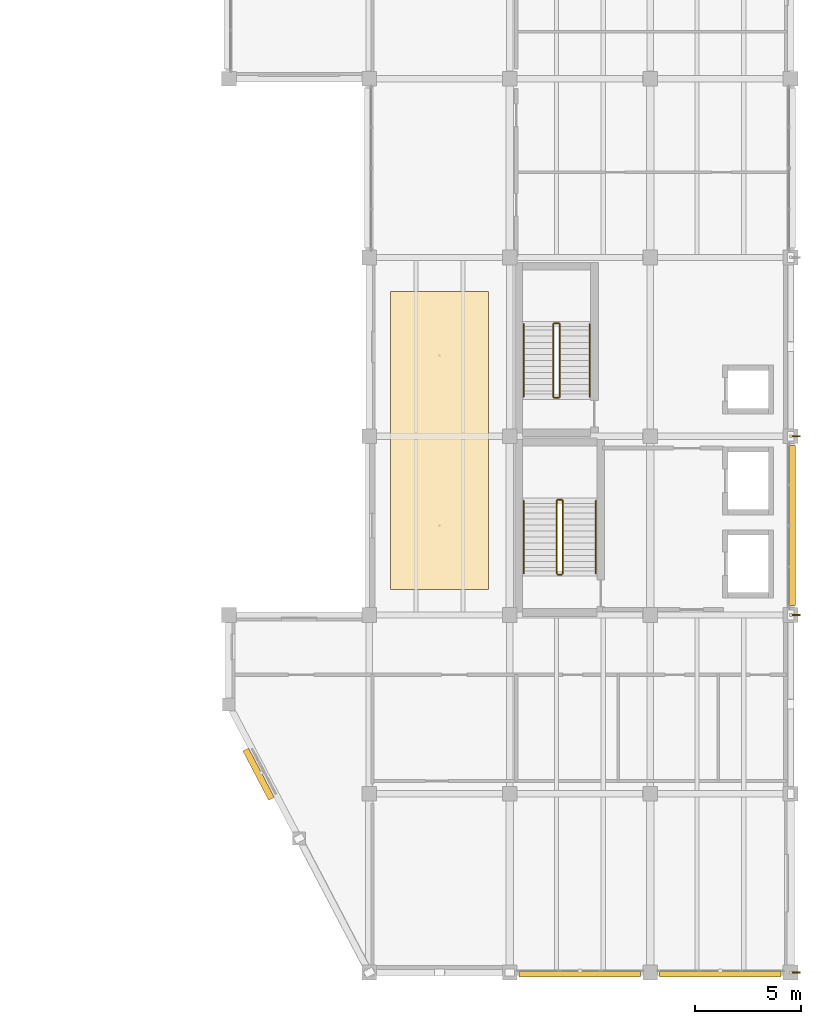
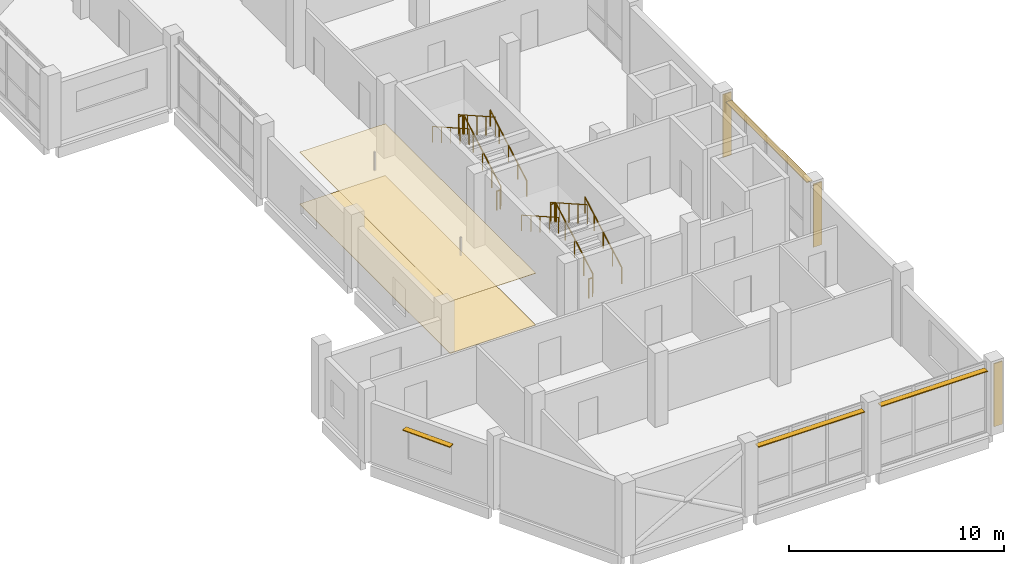
# One storey, part 17 of 19: 12 railings, 7 shading devices, 2 coverings.
"""IFC4 building model written with IfcOpenShell, lengths in metres."""

from ifc_helpers import new_model, si_unit, direction, frame, origin, origin_2d, place, context, subcontext, project, spatial, polyline, rectangle, circle, outline, extrude, material, layer, layer_set, type_object, element, save


model = new_model("IFC4")

# Units and contexts
model_context = context("Model", 3, precision=1e-05, world=origin(), true_north=direction((0.0, 1.0)))
body_context = subcontext(model_context, "Body", "Model", "MODEL_VIEW")
ifc_project = project(units=[si_unit("LENGTHUNIT", "METRE"), si_unit("AREAUNIT", "SQUARE_METRE"), si_unit("VOLUMEUNIT", "CUBIC_METRE"), si_unit("PLANEANGLEUNIT", "RADIAN"), si_unit("MASSUNIT", "GRAM", prefix="KILO")], contexts=[model_context])

# Site, building, storey
site_placement = place(None, origin())
site = spatial("IfcSite", under=ifc_project, at=site_placement, CompositionType="ELEMENT")
building_placement = place(site_placement, origin())
building = spatial("IfcBuilding", under=site, at=building_placement, Name="Qaldarim Faculty of Natural and Applied Sciences", CompositionType="ELEMENT")
storey_placement = place(building_placement, frame((0.0, 0.0, 27.0)))
storey = spatial("IfcBuildingStorey", under=building, at=storey_placement, Name="L06", CompositionType="ELEMENT", Elevation=27.0)

# Covering
ifc_material_1 = material(Name="Acoustic mineral fibre")
ifc_layer_1 = layer(ifc_material_1, 0.02001953125)
ifc_layer_set_1 = layer_set([ifc_layer_1], Name="Acoustic mineral fibre")
covering_type_1 = type_object("IfcCoveringType", Name="AcousticMineralCeiling-20", PredefinedType="CEILING", material=ifc_layer_set_1)
covering_1_placement = place(storey_placement, frame((0.0, 0.0, 2.949951171875)))
element("IfcCovering", 1, at=covering_1_placement, inside=storey, type_object=covering_type_1, Name="Acoustic corridor ceiling L06", PredefinedType="CEILING", context=body_context, shape_type="SweptSolid", body=[
    extrude(outline(polyline([(159.39990234375, 18.0), (164.0, 18.0), (164.0, 32.0), (159.39990234375, 32.0), (159.39990234375, 18.0)])), origin(), (0.0, 0.0, 1.0), 0.02001953125),
])

# Railings
ifc_material_2 = material(Name="Architectural stainless steel 316", Category="steel")
railing_type_1 = type_object("IfcRailingType", Name="GuardBalustrade-1100", PredefinedType="BALUSTRADE", material=ifc_material_2)
railing_1_placement = place(storey_placement, frame((167.5, 18.75, 0.159912109375)))
element("IfcRailing", 2, at=railing_1_placement, inside=storey, type_object=railing_type_1, Name="ST-A1 L06 stair well guard 1", PredefinedType="BALUSTRADE", context=body_context, shape_type="SweptSolid", body=[
    extrude(circle(Radius=0.02392578125, at=origin_2d()), frame((0.0, 0.0, 1.076171875), z_axis=(0.0, 0.869778831362, 0.493441774189), x_axis=(-1.0, 0.0, 0.0)), (0.0, 0.0, 1.0), 3.931884765625),
    extrude(circle(Radius=0.02099609375, at=origin_2d()), origin(), (0.0, 0.0, 1.0), 1.052001953125),
    extrude(circle(Radius=0.02099609375, at=origin_2d()), frame((0.0, 0.85498046875, 0.485107421875)), (0.0, 0.0, 1.0), 1.052001953125),
    extrude(circle(Radius=0.02099609375, at=origin_2d()), frame((0.0, 1.7099609375, 0.97021484375)), (0.0, 0.0, 1.0), 1.052001953125),
    extrude(circle(Radius=0.02099609375, at=origin_2d()), frame((0.0, 2.56494140625, 1.455078125)), (0.0, 0.0, 1.0), 1.052001953125),
    extrude(circle(Radius=0.02099609375, at=origin_2d()), frame((0.0, 3.419921875, 1.940185546875)), (0.0, 0.0, 1.0), 1.052001953125),
])
railing_2_placement = place(storey_placement, frame((167.449951171875, 22.219970703125, 2.10009765625)))
element("IfcRailing", 3, at=railing_2_placement, inside=storey, type_object=railing_type_1, Name="ST-A1 L06 stair well guard 2", PredefinedType="BALUSTRADE", context=body_context, shape_type="SweptSolid", body=[
    extrude(circle(Radius=0.02392578125, at=origin_2d()), frame((0.0, 0.0, 1.076171875), z_axis=(-1.0, 0.0, 0.0), x_axis=(0.0, -1.0, 0.0)), (0.0, 0.0, 1.0), 0.199951171875),
    extrude(circle(Radius=0.02099609375, at=origin_2d()), origin(), (0.0, 0.0, 1.0), 1.052001953125),
    extrude(circle(Radius=0.02099609375, at=origin_2d()), frame((-0.199951171875, 0.0, 0.0)), (0.0, 0.0, 1.0), 1.052001953125),
])
railing_3_placement = place(storey_placement, frame((167.199951171875, 22.169921875, 2.260009765625)))
element("IfcRailing", 4, at=railing_3_placement, inside=storey, type_object=railing_type_1, Name="ST-A1 L06 stair well guard 3", PredefinedType="BALUSTRADE", context=body_context, shape_type="SweptSolid", body=[
    extrude(circle(Radius=0.02392578125, at=origin_2d()), frame((0.0, 0.0, 1.076171875), z_axis=(0.0, -0.869805479697, 0.493394798806), x_axis=(1.0, 0.0, 0.0)), (0.0, 0.0, 1.0), 3.931884765625),
    extrude(circle(Radius=0.02099609375, at=origin_2d()), origin(), (0.0, 0.0, 1.0), 1.052001953125),
    extrude(circle(Radius=0.02099609375, at=origin_2d()), frame((0.0, -0.85498046875, 0.48486328125)), (0.0, 0.0, 1.0), 1.052001953125),
    extrude(circle(Radius=0.02099609375, at=origin_2d()), frame((0.0, -1.7099609375, 0.969970703125)), (0.0, 0.0, 1.0), 1.052001953125),
    extrude(circle(Radius=0.02099609375, at=origin_2d()), frame((0.0, -2.56494140625, 1.455078125)), (0.0, 0.0, 1.0), 1.052001953125),
    extrude(circle(Radius=0.02099609375, at=origin_2d()), frame((0.0, -3.419921875, 1.93994140625)), (0.0, 0.0, 1.0), 1.052001953125),
])
railing_4_placement = place(storey_placement, frame((167.449951171875, 18.699951171875, 0.0)))
element("IfcRailing", 5, at=railing_4_placement, inside=storey, type_object=railing_type_1, Name="ST-A1 L06 stair well guard 4", PredefinedType="BALUSTRADE", context=body_context, shape_type="SweptSolid", body=[
    extrude(circle(Radius=0.02392578125, at=origin_2d()), frame((0.0, 0.0, 1.076171875), z_axis=(-1.0, 0.0, 0.0), x_axis=(0.0, -1.0, 0.0)), (0.0, 0.0, 1.0), 0.199951171875),
    extrude(circle(Radius=0.02099609375, at=origin_2d()), origin(), (0.0, 0.0, 1.0), 1.052001953125),
    extrude(circle(Radius=0.02099609375, at=origin_2d()), frame((-0.199951171875, 0.0, 0.0)), (0.0, 0.0, 1.0), 1.052001953125),
])
railing_5_placement = place(storey_placement, frame((167.35009765625, 27.050048828125, 0.159912109375)))
element("IfcRailing", 6, at=railing_5_placement, inside=storey, type_object=railing_type_1, Name="ST-A2 L06 stair well guard 1", PredefinedType="BALUSTRADE", context=body_context, shape_type="SweptSolid", body=[
    extrude(circle(Radius=0.02392578125, at=origin_2d()), frame((0.0, 0.0, 1.076171875), z_axis=(0.0, 0.869778831362, 0.493441774189), x_axis=(-1.0, 0.0, 0.0)), (0.0, 0.0, 1.0), 3.931884765625),
    extrude(circle(Radius=0.02099609375, at=origin_2d()), origin(), (0.0, 0.0, 1.0), 1.052001953125),
    extrude(circle(Radius=0.02099609375, at=origin_2d()), frame((0.0, 0.85498046875, 0.485107421875)), (0.0, 0.0, 1.0), 1.052001953125),
    extrude(circle(Radius=0.02099609375, at=origin_2d()), frame((0.0, 1.7099609375, 0.97021484375)), (0.0, 0.0, 1.0), 1.052001953125),
    extrude(circle(Radius=0.02099609375, at=origin_2d()), frame((0.0, 2.56494140625, 1.455078125)), (0.0, 0.0, 1.0), 1.052001953125),
    extrude(circle(Radius=0.02099609375, at=origin_2d()), frame((0.0, 3.419921875, 1.940185546875)), (0.0, 0.0, 1.0), 1.052001953125),
])
railing_6_placement = place(storey_placement, frame((167.300048828125, 30.52001953125, 2.10009765625)))
element("IfcRailing", 7, at=railing_6_placement, inside=storey, type_object=railing_type_1, Name="ST-A2 L06 stair well guard 2", PredefinedType="BALUSTRADE", context=body_context, shape_type="SweptSolid", body=[
    extrude(circle(Radius=0.02392578125, at=origin_2d()), frame((0.0, 0.0, 1.076171875), z_axis=(-1.0, 0.0, 0.0), x_axis=(0.0, -1.0, 0.0)), (0.0, 0.0, 1.0), 0.199951171875),
    extrude(circle(Radius=0.02099609375, at=origin_2d()), origin(), (0.0, 0.0, 1.0), 1.052001953125),
    extrude(circle(Radius=0.02099609375, at=origin_2d()), frame((-0.199951171875, 0.0, 0.0)), (0.0, 0.0, 1.0), 1.052001953125),
])
railing_7_placement = place(storey_placement, frame((167.050048828125, 30.469970703125, 2.260009765625)))
element("IfcRailing", 8, at=railing_7_placement, inside=storey, type_object=railing_type_1, Name="ST-A2 L06 stair well guard 3", PredefinedType="BALUSTRADE", context=body_context, shape_type="SweptSolid", body=[
    extrude(circle(Radius=0.02392578125, at=origin_2d()), frame((0.0, 0.0, 1.076171875), z_axis=(0.0, -0.869805479697, 0.493394798806), x_axis=(1.0, 0.0, 0.0)), (0.0, 0.0, 1.0), 3.931884765625),
    extrude(circle(Radius=0.02099609375, at=origin_2d()), origin(), (0.0, 0.0, 1.0), 1.052001953125),
    extrude(circle(Radius=0.02099609375, at=origin_2d()), frame((0.0, -0.85498046875, 0.48486328125)), (0.0, 0.0, 1.0), 1.052001953125),
    extrude(circle(Radius=0.02099609375, at=origin_2d()), frame((0.0, -1.7099609375, 0.969970703125)), (0.0, 0.0, 1.0), 1.052001953125),
    extrude(circle(Radius=0.02099609375, at=origin_2d()), frame((0.0, -2.56494140625, 1.455078125)), (0.0, 0.0, 1.0), 1.052001953125),
    extrude(circle(Radius=0.02099609375, at=origin_2d()), frame((0.0, -3.419921875, 1.93994140625)), (0.0, 0.0, 1.0), 1.052001953125),
])
railing_8_placement = place(storey_placement, frame((167.300048828125, 27.0, 0.0)))
element("IfcRailing", 9, at=railing_8_placement, inside=storey, type_object=railing_type_1, Name="ST-A2 L06 stair well guard 4", PredefinedType="BALUSTRADE", context=body_context, shape_type="SweptSolid", body=[
    extrude(circle(Radius=0.02392578125, at=origin_2d()), frame((0.0, 0.0, 1.076171875), z_axis=(-1.0, 0.0, 0.0), x_axis=(0.0, -1.0, 0.0)), (0.0, 0.0, 1.0), 0.199951171875),
    extrude(circle(Radius=0.02099609375, at=origin_2d()), origin(), (0.0, 0.0, 1.0), 1.052001953125),
    extrude(circle(Radius=0.02099609375, at=origin_2d()), frame((-0.199951171875, 0.0, 0.0)), (0.0, 0.0, 1.0), 1.052001953125),
])

# Shading devices
ifc_material_3 = material(Name="Champagne anodised aluminium AW-6063", Category="aluminium")
ifc_layer_2 = layer(ifc_material_3, 0.050048828125)
ifc_layer_set_2 = layer_set([ifc_layer_2], Name="Champagne anodised aluminium AW-6063")
shading_device_type_1 = type_object("IfcShadingDeviceType", Name="SolarLouvre-ALU300x50", PredefinedType="JALOUSIE", material=ifc_layer_set_2)
for number, where, z_axis, x_axis, name in (
    (10, (168.300048828125, -0.070068359375, 3.60498046875), (0.0, 0.0, 1.0), (1.0, 0.0, 0.0), "Horizontal solar louvre L06 S X26Y01"),
    (11, (174.89990234375, -0.070068359375, 3.60498046875), (0.0, 0.0, 1.0), (1.0, 0.0, 0.0), "Horizontal solar louvre L06 S X27Y01"),
):
    element("IfcShadingDevice", number, at=place(storey_placement, frame(where, z_axis=z_axis, x_axis=x_axis)), inside=storey, type_object=shading_device_type_1, Name=name, PredefinedType="JALOUSIE", context=body_context, shape_type="SweptSolid", body=[
        extrude(rectangle(XDim=5.7099609375, YDim=0.300048828125, at=origin_2d()), origin(), (0.0, 0.0, 1.0), 0.050048828125),
    ])
shading_device_1_placement = place(storey_placement, frame((178.27001953125, 21.0, 3.60498046875), z_axis=(0.0, 0.0, 1.0), x_axis=(0.0, 1.0, 0.0)))
element("IfcShadingDevice", 12, at=shading_device_1_placement, inside=storey, type_object=shading_device_type_1, Name="Horizontal solar louvre L06 E X27Y03", PredefinedType="JALOUSIE", context=body_context, shape_type="SweptSolid", body=[
    extrude(rectangle(XDim=7.510009765625, YDim=0.300048828125, at=origin_2d()), origin(), (0.0, 0.0, 1.0), 0.050048828125),
])
shading_device_2_placement = place(storey_placement, frame((153.199951171875, 9.320068359375, 2.6748046875), z_axis=(0.0, 0.0, 1.0), x_axis=(0.46447113214, -0.885588260654, 0.0)))
element("IfcShadingDevice", 13, at=shading_device_2_placement, inside=storey, type_object=shading_device_type_1, Name="Oblique facade horizontal solar louvre SHD-OBL-SW-L06-1", PredefinedType="JALOUSIE", context=body_context, shape_type="SweptSolid", body=[
    extrude(rectangle(XDim=2.60009765625, YDim=0.300048828125, at=origin_2d()), origin(), (0.0, 0.0, 1.0), 0.050048828125),
])

# Railings
railing_type_2 = type_object("IfcRailingType", Name="StairHandrail-920", PredefinedType="HANDRAIL", material=ifc_material_2)
railing_9_placement = place(storey_placement, frame((169.050048828125, 18.75, 0.159912109375)))
element("IfcRailing", 14, at=railing_9_placement, inside=storey, type_object=railing_type_2, Name="ST-A1 L06 stair handrail 1", PredefinedType="HANDRAIL", context=body_context, shape_type="SweptSolid", body=[
    extrude(circle(Radius=0.02392578125, at=origin_2d()), frame((0.0, 0.0, 0.89599609375), z_axis=(0.0, 0.869778831362, 0.493441774189), x_axis=(-1.0, 0.0, 0.0)), (0.0, 0.0, 1.0), 3.931884765625),
    extrude(circle(Radius=0.02099609375, at=origin_2d()), origin(), (0.0, 0.0, 1.0), 0.871826171875),
    extrude(circle(Radius=0.02099609375, at=origin_2d()), frame((0.0, 0.85498046875, 0.485107421875)), (0.0, 0.0, 1.0), 0.871826171875),
    extrude(circle(Radius=0.02099609375, at=origin_2d()), frame((0.0, 1.7099609375, 0.97021484375)), (0.0, 0.0, 1.0), 0.871826171875),
    extrude(circle(Radius=0.02099609375, at=origin_2d()), frame((0.0, 2.56494140625, 1.455078125)), (0.0, 0.0, 1.0), 0.871826171875),
    extrude(circle(Radius=0.02099609375, at=origin_2d()), frame((0.0, 3.419921875, 1.940185546875)), (0.0, 0.0, 1.0), 0.871826171875),
])
railing_10_placement = place(storey_placement, frame((165.64990234375, 22.169921875, 2.260009765625)))
element("IfcRailing", 15, at=railing_10_placement, inside=storey, type_object=railing_type_2, Name="ST-A1 L06 stair handrail 2", PredefinedType="HANDRAIL", context=body_context, shape_type="SweptSolid", body=[
    extrude(circle(Radius=0.02392578125, at=origin_2d()), frame((0.0, 0.0, 0.89599609375), z_axis=(0.0, -0.869805479697, 0.493394798806), x_axis=(1.0, 0.0, 0.0)), (0.0, 0.0, 1.0), 3.931884765625),
    extrude(circle(Radius=0.02099609375, at=origin_2d()), origin(), (0.0, 0.0, 1.0), 0.871826171875),
    extrude(circle(Radius=0.02099609375, at=origin_2d()), frame((0.0, -0.85498046875, 0.48486328125)), (0.0, 0.0, 1.0), 0.871826171875),
    extrude(circle(Radius=0.02099609375, at=origin_2d()), frame((0.0, -1.7099609375, 0.969970703125)), (0.0, 0.0, 1.0), 0.871826171875),
    extrude(circle(Radius=0.02099609375, at=origin_2d()), frame((0.0, -2.56494140625, 1.455078125)), (0.0, 0.0, 1.0), 0.871826171875),
    extrude(circle(Radius=0.02099609375, at=origin_2d()), frame((0.0, -3.419921875, 1.93994140625)), (0.0, 0.0, 1.0), 0.871826171875),
])
railing_11_placement = place(storey_placement, frame((168.75, 27.050048828125, 0.159912109375)))
element("IfcRailing", 16, at=railing_11_placement, inside=storey, type_object=railing_type_2, Name="ST-A2 L06 stair handrail 1", PredefinedType="HANDRAIL", context=body_context, shape_type="SweptSolid", body=[
    extrude(circle(Radius=0.02392578125, at=origin_2d()), frame((0.0, 0.0, 0.89599609375), z_axis=(0.0, 0.869778831362, 0.493441774189), x_axis=(-1.0, 0.0, 0.0)), (0.0, 0.0, 1.0), 3.931884765625),
    extrude(circle(Radius=0.02099609375, at=origin_2d()), origin(), (0.0, 0.0, 1.0), 0.871826171875),
    extrude(circle(Radius=0.02099609375, at=origin_2d()), frame((0.0, 0.85498046875, 0.485107421875)), (0.0, 0.0, 1.0), 0.871826171875),
    extrude(circle(Radius=0.02099609375, at=origin_2d()), frame((0.0, 1.7099609375, 0.97021484375)), (0.0, 0.0, 1.0), 0.871826171875),
    extrude(circle(Radius=0.02099609375, at=origin_2d()), frame((0.0, 2.56494140625, 1.455078125)), (0.0, 0.0, 1.0), 0.871826171875),
    extrude(circle(Radius=0.02099609375, at=origin_2d()), frame((0.0, 3.419921875, 1.940185546875)), (0.0, 0.0, 1.0), 0.871826171875),
])
railing_12_placement = place(storey_placement, frame((165.64990234375, 30.469970703125, 2.260009765625)))
element("IfcRailing", 17, at=railing_12_placement, inside=storey, type_object=railing_type_2, Name="ST-A2 L06 stair handrail 2", PredefinedType="HANDRAIL", context=body_context, shape_type="SweptSolid", body=[
    extrude(circle(Radius=0.02392578125, at=origin_2d()), frame((0.0, 0.0, 0.89599609375), z_axis=(0.0, -0.869805479697, 0.493394798806), x_axis=(1.0, 0.0, 0.0)), (0.0, 0.0, 1.0), 3.931884765625),
    extrude(circle(Radius=0.02099609375, at=origin_2d()), origin(), (0.0, 0.0, 1.0), 0.871826171875),
    extrude(circle(Radius=0.02099609375, at=origin_2d()), frame((0.0, -0.85498046875, 0.48486328125)), (0.0, 0.0, 1.0), 0.871826171875),
    extrude(circle(Radius=0.02099609375, at=origin_2d()), frame((0.0, -1.7099609375, 0.969970703125)), (0.0, 0.0, 1.0), 0.871826171875),
    extrude(circle(Radius=0.02099609375, at=origin_2d()), frame((0.0, -2.56494140625, 1.455078125)), (0.0, 0.0, 1.0), 0.871826171875),
    extrude(circle(Radius=0.02099609375, at=origin_2d()), frame((0.0, -3.419921875, 1.93994140625)), (0.0, 0.0, 1.0), 0.871826171875),
])

# Covering
ifc_material_4 = material(Name="Terrazzo stone finish", Category="masonry")
ifc_layer_3 = layer(ifc_material_4, 0.02490234375)
ifc_layer_set_3 = layer_set([ifc_layer_3], Name="Terrazzo stone finish")
covering_type_2 = type_object("IfcCoveringType", Name="TerrazzoFlooring-25", PredefinedType="FLOORING", material=ifc_layer_set_3)
covering_2_placement = place(storey_placement, origin())
element("IfcCovering", 18, at=covering_2_placement, inside=storey, type_object=covering_type_2, Name="Polished terrazzo corridor flooring L06", PredefinedType="FLOORING", context=body_context, shape_type="SweptSolid", body=[
    extrude(outline(polyline([(159.39990234375, 18.0), (164.0, 18.0), (164.0, 32.0), (159.39990234375, 32.0), (159.39990234375, 18.0)])), origin(), (0.0, 0.0, 1.0), 0.02490234375),
])

# Shading devices
ifc_layer_4 = layer(ifc_material_3, 0.06005859375)
ifc_layer_set_4 = layer_set([ifc_layer_4], Name="Champagne anodised aluminium AW-6063")
shading_device_type_2 = type_object("IfcShadingDeviceType", Name="VerticalSunFin-ALU450x60", PredefinedType="SHUTTER", material=ifc_layer_set_4)
for number, where, z_axis, x_axis, name in (
    (19, (178.425048828125, 0.0, 0.199951171875), (0.0, 0.0, 1.0), (1.0, 0.0, 0.0), "Tower solar fin FIN-V5E-L06-Y01"),
    (20, (178.425048828125, 16.800048828125, 0.199951171875), (0.0, 0.0, 1.0), (1.0, 0.0, 0.0), "Tower solar fin FIN-V5E-L06-Y03"),
    (21, (178.425048828125, 25.199951171875, 0.199951171875), (0.0, 0.0, 1.0), (1.0, 0.0, 0.0), "Tower solar fin FIN-V5E-L06-Y04"),
):
    element("IfcShadingDevice", number, at=place(storey_placement, frame(where, z_axis=z_axis, x_axis=x_axis)), inside=storey, type_object=shading_device_type_2, Name=name, PredefinedType="SHUTTER", context=body_context, shape_type="SweptSolid", body=[
        extrude(rectangle(XDim=0.449951171875, YDim=0.06005859375, at=origin_2d()), origin(), (0.0, 0.0, 1.0), 3.580078125),
    ])

save(model, "model.ifc")
